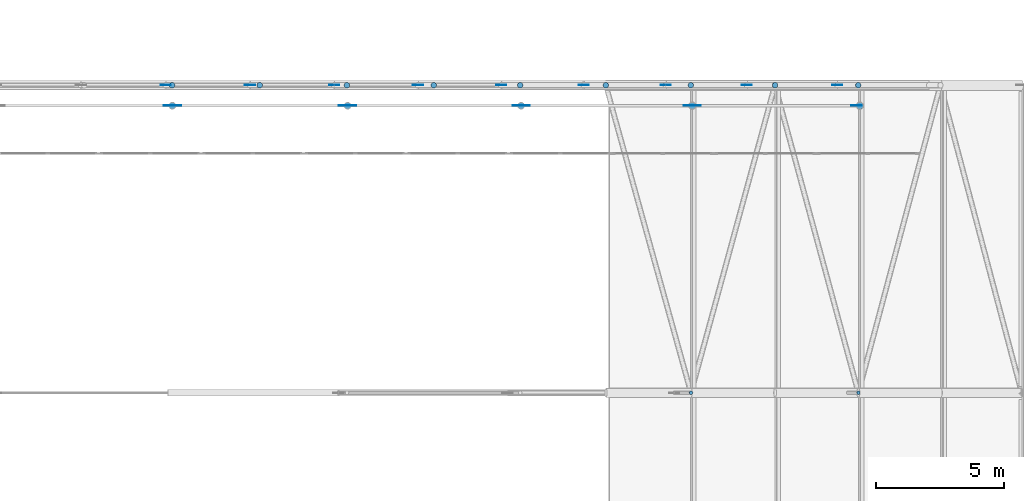
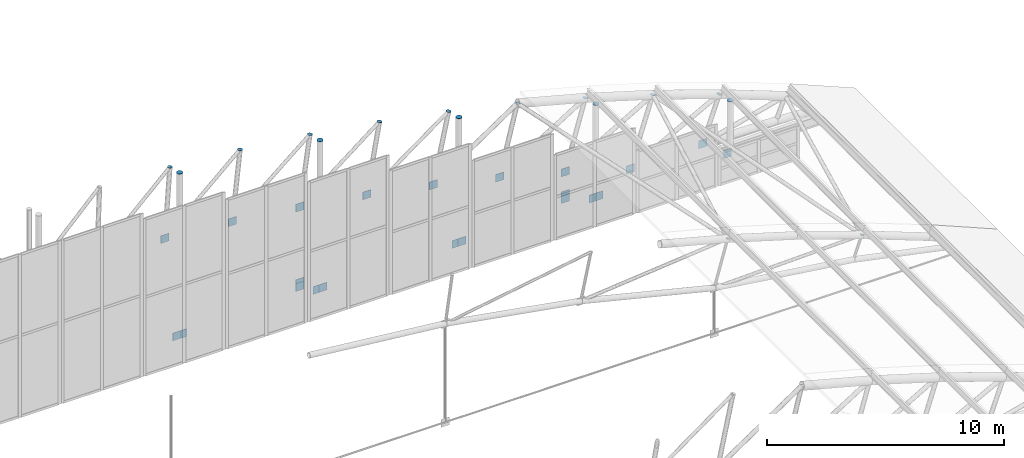
# One storey, part 302 of 321: 38 discrete accessories.
"""IFC4 building model written with IfcOpenShell, lengths in metres."""

from ifc_helpers import new_model, si_unit, direction, frame, origin, origin_2d, place, context, subcontext, project, spatial, rectangle, circle, extrude, material, material_profile, profile_set, type_object, element, save


model = new_model("IFC4")

# Units and contexts
model_context = context("Model", 3, precision=1e-05, world=origin(), true_north=direction((0.0, 1.0)))
body_context = subcontext(model_context, "Body", "Model", "MODEL_VIEW")
ifc_project = project(units=[si_unit("LENGTHUNIT", "METRE"), si_unit("AREAUNIT", "SQUARE_METRE"), si_unit("VOLUMEUNIT", "CUBIC_METRE"), si_unit("PLANEANGLEUNIT", "RADIAN"), si_unit("MASSUNIT", "GRAM", prefix="KILO")], contexts=[model_context])

# Site, building, storey
site_placement = place(None, origin())
site = spatial("IfcSite", under=ifc_project, at=site_placement, CompositionType="ELEMENT")
building_placement = place(site_placement, origin())
building = spatial("IfcBuilding", under=site, at=building_placement, Name="Ravi Spectrum Wholesale Market", CompositionType="ELEMENT")
storey_placement = place(building_placement, frame((0.0, 0.0, 10.800048828125)))
storey = spatial("IfcBuildingStorey", under=building, at=storey_placement, Name="L02", CompositionType="ELEMENT", Elevation=10.800048828125)

# Discrete accessories
ifc_material_1 = material(Name="Steel S355", Category="steel")
ifc_material_profile_1 = material_profile(ifc_material_1, circle(Radius=0.06982421875, at=origin_2d()))
ifc_profile_set_1 = profile_set([ifc_material_profile_1], Name="Steel S355")
discrete_accessory_type_1 = type_object("IfcDiscreteAccessoryType", Name="End plate CHS 139.7x5", PredefinedType="BRACKET", material=ifc_profile_set_1)
for number, where, z_axis, x_axis, name in (
    (1, (97.103759765625, 186.0, 4.661376953125), (0.266586054538, 0.0, 0.963811120254), (0.0, 1.0, 0.0), "End plate"),
    (2, (103.636962890625, 186.0, 2.56494140625), (0.346650140872, 0.0, 0.937994498829), (0.0, 1.0, 0.0), "End plate"),
):
    element("IfcDiscreteAccessory", number, at=place(storey_placement, frame(where, z_axis=z_axis, x_axis=x_axis)), inside=storey, type_object=discrete_accessory_type_1, Name=name, PredefinedType="BRACKET", context=body_context, shape_type="SweptSolid", body=[
        extrude(circle(Radius=0.06982421875, at=origin_2d()), origin(), (0.0, 0.0, 1.0), 0.011962890625),
    ])
ifc_material_2 = material(Name="Steel S355", Category="steel")
ifc_material_profile_2 = material_profile(ifc_material_2, circle(Radius=0.109619140625, at=origin_2d()))
ifc_profile_set_2 = profile_set([ifc_material_profile_2], Name="Steel S355")
discrete_accessory_type_2 = type_object("IfcDiscreteAccessoryType", Name="End plate CHS 219.1x8", PredefinedType="BRACKET", material=ifc_profile_set_2)
for number, where, z_axis, x_axis, name in (
    (3, (76.85546875, 198.0, 8.163330078125), (0.081362009455, 0.0, 0.996684615823), (0.0, 1.0, 0.0), "End plate"),
    (4, (80.273193359375, 198.0, 7.867919921875), (0.101513688013, 0.0, 0.994834142531), (0.0, 1.0, 0.0), "End plate"),
    (5, (83.678466796875, 198.0, 7.45458984375), (0.141421356237, 0.0, 0.989949493661), (0.0, 1.0, 0.0), "End plate"),
    (6, (87.0673828125, 198.0, 6.92431640625), (0.18428853505, 0.0, 0.982872186934), (0.0, 1.0, 0.0), "End plate"),
    (7, (90.436279296875, 198.0, 6.27734375), (0.203954254112, 0.0, 0.978980419738), (0.0, 1.0, 0.0), "End plate"),
    (8, (93.78076171875, 198.0, 5.514404296875), (0.223376156329, 0.0, 0.974732318528), (0.0, 1.0, 0.0), "End plate"),
):
    element("IfcDiscreteAccessory", number, at=place(storey_placement, frame(where, z_axis=z_axis, x_axis=x_axis)), inside=storey, type_object=discrete_accessory_type_2, Name=name, PredefinedType="BRACKET", context=body_context, shape_type="SweptSolid", body=[
        extrude(circle(Radius=0.109619140625, at=origin_2d()), origin(), (0.0, 0.0, 1.0), 0.011962890625),
    ])
discrete_accessory_1_placement = place(storey_placement, frame((97.096923828125, 198.0, 4.63671875), z_axis=(0.261415475728, 0.0, 0.96522637192), x_axis=(0.0, 1.0, 0.0)))
element("IfcDiscreteAccessory", 9, at=discrete_accessory_1_placement, inside=storey, type_object=discrete_accessory_type_2, Name="End plate", PredefinedType="BRACKET", context=body_context, shape_type="SweptSolid", body=[
    extrude(circle(Radius=0.109619140625, at=origin_2d()), origin(), (0.0, 0.0, 1.0), 0.01220703125),
])
for number, where, z_axis, x_axis, name in (
    (10, (100.380615234375, 198.0, 3.645263671875), (0.304040173793, 0.0, 0.952659211219), (0.0, 1.0, 0.0), "End plate"),
    (11, (103.62841796875, 198.0, 2.541015625), (0.346650140872, 0.0, 0.937994498829), (0.0, 1.0, 0.0), "End plate"),
):
    element("IfcDiscreteAccessory", number, at=place(storey_placement, frame(where, z_axis=z_axis, x_axis=x_axis)), inside=storey, type_object=discrete_accessory_type_2, Name=name, PredefinedType="BRACKET", context=body_context, shape_type="SweptSolid", body=[
        extrude(circle(Radius=0.109619140625, at=origin_2d()), origin(), (0.0, 0.0, 1.0), 0.011962890625),
    ])
ifc_material_3 = material(Name="Steel S355", Category="steel")
ifc_material_profile_3 = material_profile(ifc_material_3, circle(Radius=0.136474609375, at=origin_2d()))
ifc_profile_set_3 = profile_set([ifc_material_profile_3], Name="Steel S355")
discrete_accessory_type_3 = type_object("IfcDiscreteAccessoryType", Name="End plate CHS 273x10", PredefinedType="BRACKET", material=ifc_profile_set_3)
for number, where, z_axis, x_axis, name in (
    (12, (76.86962890625, 197.199951171875, 8.356689453125), (0.0, 0.0, 1.0), (1.0, 0.0, 0.0), "End plate"),
    (13, (83.706298828125, 197.199951171875, 7.636962890625), (0.0, 0.0, 1.0), (1.0, 0.0, 0.0), "End plate"),
    (14, (90.47802734375, 197.199951171875, 6.447509765625), (0.0, 0.0, 1.0), (1.0, 0.0, 0.0), "End plate"),
    (15, (97.152099609375, 197.199951171875, 4.793701171875), (0.0, 0.0, 1.0), (1.0, 0.0, 0.0), "End plate"),
):
    element("IfcDiscreteAccessory", number, at=place(storey_placement, frame(where, z_axis=z_axis, x_axis=x_axis)), inside=storey, type_object=discrete_accessory_type_3, Name=name, PredefinedType="BRACKET", context=body_context, shape_type="SweptSolid", body=[
        extrude(circle(Radius=0.136474609375, at=origin_2d()), origin(), (0.0, 0.0, 1.0), 0.011962890625),
    ])
discrete_accessory_2_placement = place(storey_placement, frame((103.697021484375, 197.199951171875, 2.68310546875), z_axis=(0.0, 0.0, 1.0), x_axis=(1.0, 0.0, 0.0)))
element("IfcDiscreteAccessory", 16, at=discrete_accessory_2_placement, inside=storey, type_object=discrete_accessory_type_3, Name="End plate", PredefinedType="BRACKET", context=body_context, shape_type="SweptSolid", body=[
    extrude(circle(Radius=0.136474609375, at=origin_2d()), origin(), (0.0, 0.0, 1.0), 0.01220703125),
])
ifc_material_4 = material(Name="Steel S355", Category="steel")
ifc_material_profile_4 = material_profile(ifc_material_4, rectangle(XDim=0.39990234375, YDim=0.02001953125, at=origin_2d()))
ifc_profile_set_4 = profile_set([ifc_material_profile_4], Name="Steel S355")
discrete_accessory_type_4 = type_object("IfcDiscreteAccessoryType", Name="Gusset plate 400x400x20", PredefinedType="BRACKET", material=ifc_profile_set_4)
discrete_accessory_3_placement = place(storey_placement, frame((76.607421875, 198.0, 4.371826171875), z_axis=(0.0, 0.0, 1.0), x_axis=(-1.0, 0.0, 0.0)))
element("IfcDiscreteAccessory", 17, at=discrete_accessory_3_placement, inside=storey, type_object=discrete_accessory_type_4, Name="Gusset plate", PredefinedType="BRACKET", context=body_context, shape_type="SweptSolid", body=[
    extrude(rectangle(XDim=0.39990234375, YDim=0.02001953125, at=origin_2d()), origin(), (0.0, 0.0, 1.0), 0.400146484375),
])
for number, where, z_axis, x_axis, name in (
    (18, (76.733154296875, 197.199951171875, -0.199951171875), (0.0, 0.0, 1.0), (1.0, 0.0, 0.0), "Gusset plate"),
    (19, (77.006103515625, 197.199951171875, -0.199951171875), (0.0, 0.0, 1.0), (1.0, 0.0, 0.0), "Gusset plate"),
    (20, (79.901123046875, 198.0, 4.087158203125), (0.0, 0.0, 1.0), (-1.0, 0.0, 0.0), "Gusset plate"),
):
    element("IfcDiscreteAccessory", number, at=place(storey_placement, frame(where, z_axis=z_axis, x_axis=x_axis)), inside=storey, type_object=discrete_accessory_type_4, Name=name, PredefinedType="BRACKET", context=body_context, shape_type="SweptSolid", body=[
        extrude(rectangle(XDim=0.39990234375, YDim=0.02001953125, at=origin_2d()), origin(), (0.0, 0.0, 1.0), 0.39990234375),
    ])
discrete_accessory_4_placement = place(storey_placement, frame((83.18310546875, 198.0, -0.400146484375), z_axis=(0.0, 0.0, 1.0), x_axis=(1.0, 0.0, 0.0)))
element("IfcDiscreteAccessory", 21, at=discrete_accessory_4_placement, inside=storey, type_object=discrete_accessory_type_4, Name="Gusset plate", PredefinedType="BRACKET", context=body_context, shape_type="SweptSolid", body=[
    extrude(rectangle(XDim=0.39990234375, YDim=0.02001953125, at=origin_2d()), origin(), (0.0, 0.0, 1.0), 0.400146484375),
])
for number, where, z_axis, x_axis, name in (
    (22, (83.18310546875, 198.0, -0.199951171875), (0.0, 0.0, 1.0), (1.0, 0.0, 0.0), "Gusset plate"),
    (23, (83.18310546875, 198.0, 3.68896484375), (0.0, 0.0, 1.0), (-1.0, 0.0, 0.0), "Gusset plate"),
    (24, (83.56982421875, 197.199951171875, -0.199951171875), (0.0, 0.0, 1.0), (1.0, 0.0, 0.0), "Gusset plate"),
    (25, (83.8427734375, 197.199951171875, -0.199951171875), (0.0, 0.0, 1.0), (1.0, 0.0, 0.0), "Gusset plate"),
    (26, (86.44970703125, 198.0, 3.177734375), (0.0, 0.0, 1.0), (-1.0, 0.0, 0.0), "Gusset plate"),
    (27, (89.6962890625, 198.0, 2.55419921875), (0.0, 0.0, 1.0), (-1.0, 0.0, 0.0), "Gusset plate"),
    (28, (90.341552734375, 197.199951171875, -0.199951171875), (0.0, 0.0, 1.0), (1.0, 0.0, 0.0), "Gusset plate"),
    (29, (90.614501953125, 197.199951171875, -0.199951171875), (0.0, 0.0, 1.0), (1.0, 0.0, 0.0), "Gusset plate"),
    (30, (92.919677734375, 198.0, 1.819091796875), (0.0, 0.0, 1.0), (-1.0, 0.0, 0.0), "Gusset plate"),
):
    element("IfcDiscreteAccessory", number, at=place(storey_placement, frame(where, z_axis=z_axis, x_axis=x_axis)), inside=storey, type_object=discrete_accessory_type_4, Name=name, PredefinedType="BRACKET", context=body_context, shape_type="SweptSolid", body=[
        extrude(rectangle(XDim=0.39990234375, YDim=0.02001953125, at=origin_2d()), origin(), (0.0, 0.0, 1.0), 0.39990234375),
    ])
discrete_accessory_5_placement = place(storey_placement, frame((96.11572265625, 198.0, -0.400146484375), z_axis=(0.0, 0.0, 1.0), x_axis=(1.0, 0.0, 0.0)))
element("IfcDiscreteAccessory", 31, at=discrete_accessory_5_placement, inside=storey, type_object=discrete_accessory_type_4, Name="Gusset plate", PredefinedType="BRACKET", context=body_context, shape_type="SweptSolid", body=[
    extrude(rectangle(XDim=0.39990234375, YDim=0.02001953125, at=origin_2d()), origin(), (0.0, 0.0, 1.0), 0.400146484375),
])
for number, where, z_axis, x_axis, name in (
    (32, (96.11572265625, 198.0, -0.199951171875), (0.0, 0.0, 1.0), (1.0, 0.0, 0.0), "Gusset plate"),
    (33, (96.11572265625, 198.0, 0.97314453125), (0.0, 0.0, 1.0), (-1.0, 0.0, 0.0), "Gusset plate"),
    (34, (97.015625, 197.199951171875, -0.199951171875), (0.0, 0.0, 1.0), (1.0, 0.0, 0.0), "Gusset plate"),
    (35, (97.28857421875, 197.199951171875, -0.199951171875), (0.0, 0.0, 1.0), (1.0, 0.0, 0.0), "Gusset plate"),
):
    element("IfcDiscreteAccessory", number, at=place(storey_placement, frame(where, z_axis=z_axis, x_axis=x_axis)), inside=storey, type_object=discrete_accessory_type_4, Name=name, PredefinedType="BRACKET", context=body_context, shape_type="SweptSolid", body=[
        extrude(rectangle(XDim=0.39990234375, YDim=0.02001953125, at=origin_2d()), origin(), (0.0, 0.0, 1.0), 0.39990234375),
    ])
discrete_accessory_6_placement = place(storey_placement, frame((99.28076171875, 198.0, 0.017333984375), z_axis=(0.0, 0.0, 1.0), x_axis=(-1.0, 0.0, 0.0)))
element("IfcDiscreteAccessory", 36, at=discrete_accessory_6_placement, inside=storey, type_object=discrete_accessory_type_4, Name="Gusset plate", PredefinedType="BRACKET", context=body_context, shape_type="SweptSolid", body=[
    extrude(rectangle(XDim=0.39990234375, YDim=0.02001953125, at=origin_2d()), origin(), (0.0, 0.0, 1.0), 0.400146484375),
])
for number, where, z_axis, x_axis, name in (
    (37, (102.81689453125, 198.0, 0.08251953125), (0.0, 0.0, 1.0), (-1.0, 0.0, 0.0), "Gusset plate"),
    (38, (103.560546875, 197.199951171875, -0.199951171875), (0.0, 0.0, 1.0), (1.0, 0.0, 0.0), "Gusset plate"),
):
    element("IfcDiscreteAccessory", number, at=place(storey_placement, frame(where, z_axis=z_axis, x_axis=x_axis)), inside=storey, type_object=discrete_accessory_type_4, Name=name, PredefinedType="BRACKET", context=body_context, shape_type="SweptSolid", body=[
        extrude(rectangle(XDim=0.39990234375, YDim=0.02001953125, at=origin_2d()), origin(), (0.0, 0.0, 1.0), 0.39990234375),
    ])

save(model, "model.ifc")
